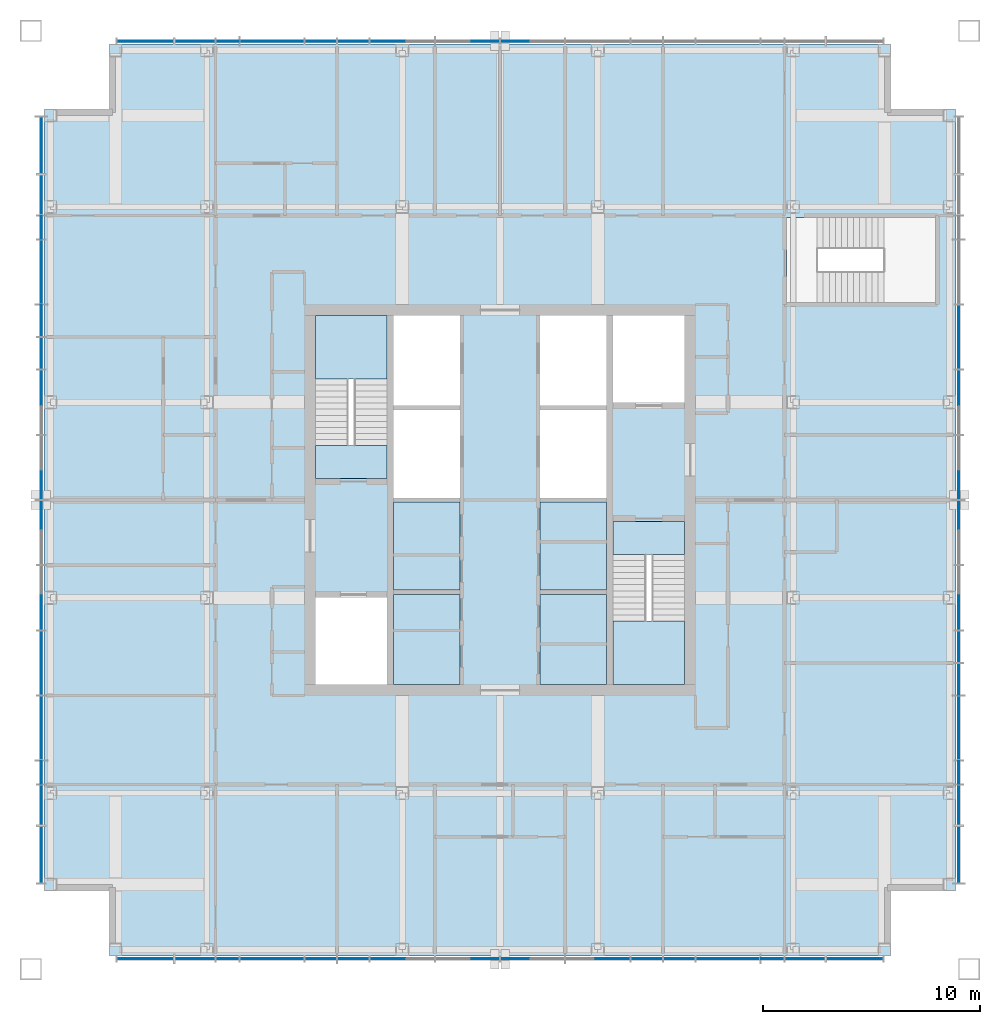
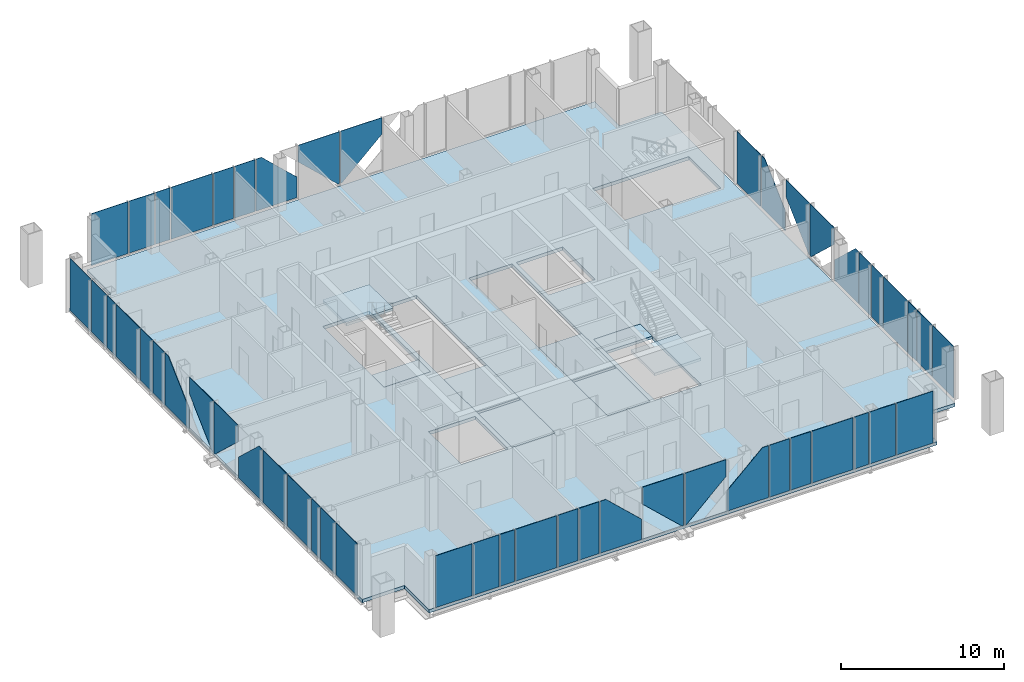
# One storey, part 6 of 12: 51 plates, 9 slabs, 6 elements without a shape of their own.
"""IFC4 building model written with IfcOpenShell, lengths in metres."""

from ifc_helpers import new_model, si_unit, direction, frame, origin, origin_2d, place, context, subcontext, project, spatial, polyline, rectangle, outline, extrude, material, layer, layer_set, type_object, element, aggregate, save


model = new_model("IFC4")

# Units and contexts
model_context = context("Model", 3, precision=1e-05, world=origin(), true_north=direction((0.0, 1.0)))
body_context = subcontext(model_context, "Body", "Model", "MODEL_VIEW")
ifc_project = project(units=[si_unit("LENGTHUNIT", "METRE"), si_unit("AREAUNIT", "SQUARE_METRE"), si_unit("VOLUMEUNIT", "CUBIC_METRE"), si_unit("PLANEANGLEUNIT", "RADIAN"), si_unit("MASSUNIT", "GRAM", prefix="KILO")], contexts=[model_context])

# Site, building, storey
site_placement = place(None, origin())
site = spatial("IfcSite", under=ifc_project, at=site_placement, CompositionType="ELEMENT")
building_placement = place(site_placement, origin())
building = spatial("IfcBuilding", under=site, at=building_placement, Name="Malebo Sky Hospital", CompositionType="ELEMENT")
storey_placement = place(building_placement, frame((0.0, 0.0, 270.0)))
storey = spatial("IfcBuildingStorey", under=building, at=storey_placement, Name="L65", CompositionType="ELEMENT", Elevation=270.0)

# Slabs
ifc_material_1 = material(Name="Concrete C40/50", Category="concrete")
ifc_layer_1 = layer(ifc_material_1, 0.25)
ifc_layer_set_1 = layer_set([ifc_layer_1], Name="COMPOSITE FLOOR SLAB 250")
slab_type_1 = type_object("IfcSlabType", Name="COMPOSITE FLOOR SLAB 250", PredefinedType="FLOOR", material=ifc_layer_set_1)
slab_1_placement = place(storey_placement, frame((0.0, 0.0, -0.25)))
element("IfcSlab", 1, at=slab_1_placement, inside=storey, type_object=slab_type_1, Name="Floor slab L65", PredefinedType="FLOOR", context=body_context, shape_type="SweptSolid", body=[
    extrude(outline(polyline([(42.0, 83.0), (42.0, 80.0), (39.0, 80.0), (39.0, 44.0), (42.0, 44.0), (42.0, 41.0), (78.0, 41.0), (78.0, 44.0), (81.0, 44.0), (81.0, 80.0), (78.0, 80.0), (78.0, 83.0), (42.0, 83.0)]), holes=[polyline([(55.10009765625, 70.5), (58.14990234375, 70.5), (58.14990234375, 53.5), (55.10009765625, 53.5), (55.10009765625, 70.5)]), polyline([(64.89990234375, 70.5), (64.89990234375, 53.5), (61.85009765625, 53.5), (61.85009765625, 70.5), (64.89990234375, 70.5)]), polyline([(54.800048828125, 63.0), (51.5, 63.0), (51.5, 70.5), (54.800048828125, 70.5), (54.800048828125, 63.0)]), polyline([(51.5, 53.5), (51.5, 57.5), (54.800048828125, 57.5), (54.800048828125, 53.5), (51.5, 53.5)]), polyline([(65.199951171875, 61.0), (68.5, 61.0), (68.5, 53.5), (65.199951171875, 53.5), (65.199951171875, 61.0)]), polyline([(68.5, 70.5), (68.5, 66.5), (65.199951171875, 66.5), (65.199951171875, 70.5), (68.5, 70.5)]), polyline([(80.050048828125, 71.10009765625), (73.199951171875, 71.10009765625), (73.199951171875, 75.0), (80.050048828125, 75.0), (80.050048828125, 71.10009765625)])]), origin(), (0.0, 0.0, 1.0), 0.25),
])
ifc_layer_2 = layer(ifc_material_1, 0.25)
ifc_layer_set_2 = layer_set([ifc_layer_2], Name="SHAFT INFILL SLAB 250")
slab_type_2 = type_object("IfcSlabType", Name="SHAFT INFILL SLAB 250", PredefinedType="FLOOR", material=ifc_layer_set_2)
slab_2_placement = place(storey_placement, frame((0.0, 0.0, -0.25)))
element("IfcSlab", 2, at=slab_2_placement, inside=storey, type_object=slab_type_2, Name="Shaft infill slab W1 L65", PredefinedType="FLOOR", context=body_context, shape_type="SweptSolid", body=[
    extrude(outline(polyline([(55.10009765625, 53.5), (58.14990234375, 53.5), (58.14990234375, 57.64990234375), (55.10009765625, 57.64990234375), (55.10009765625, 53.5)])), origin(), (0.0, 0.0, 1.0), 0.25),
])
slab_3_placement = place(storey_placement, frame((0.0, 0.0, -0.25)))
element("IfcSlab", 3, at=slab_3_placement, inside=storey, type_object=slab_type_2, Name="Shaft infill slab W2 L65", PredefinedType="FLOOR", context=body_context, shape_type="SweptSolid", body=[
    extrude(outline(polyline([(55.10009765625, 57.85009765625), (58.14990234375, 57.85009765625), (58.14990234375, 61.89990234375), (55.10009765625, 61.89990234375), (55.10009765625, 57.85009765625)])), origin(), (0.0, 0.0, 1.0), 0.25),
])
slab_4_placement = place(storey_placement, frame((0.0, 0.0, -0.25)))
element("IfcSlab", 4, at=slab_4_placement, inside=storey, type_object=slab_type_2, Name="Shaft infill slab E1 L65", PredefinedType="FLOOR", context=body_context, shape_type="SweptSolid", body=[
    extrude(outline(polyline([(61.85009765625, 53.5), (64.89990234375, 53.5), (64.89990234375, 57.64990234375), (61.85009765625, 57.64990234375), (61.85009765625, 53.5)])), origin(), (0.0, 0.0, 1.0), 0.25),
])
slab_5_placement = place(storey_placement, frame((0.0, 0.0, -0.25)))
element("IfcSlab", 5, at=slab_5_placement, inside=storey, type_object=slab_type_2, Name="Shaft infill slab E2 L65", PredefinedType="FLOOR", context=body_context, shape_type="SweptSolid", body=[
    extrude(outline(polyline([(61.85009765625, 57.85009765625), (64.89990234375, 57.85009765625), (64.89990234375, 61.89990234375), (61.85009765625, 61.89990234375), (61.85009765625, 57.85009765625)])), origin(), (0.0, 0.0, 1.0), 0.25),
])

# Stair, slabs
stair_type = type_object("IfcStairType", Name="HALF-TURN STAIR 1500 R167", PredefinedType="HALF_TURN_STAIR", material=ifc_material_1)
stair_1_placement = place(storey_placement, origin())
stair_1 = element("IfcStair", 6, at=stair_1_placement, inside=storey, type_object=stair_type, Name="Stair S1 L65 type ST1", PredefinedType="HALF_TURN_STAIR")
ifc_layer_3 = layer(ifc_material_1, 0.199951171875)
ifc_layer_set_3 = layer_set([ifc_layer_3], Name="STAIR LANDING 200")
slab_type_3 = type_object("IfcSlabType", Name="STAIR LANDING 200", PredefinedType="LANDING", material=ifc_layer_set_3)
slab_6_placement = place(storey_placement, frame((0.0, 0.0, -0.199951171875)))
slab_6 = element("IfcSlab", 7, at=slab_6_placement, type_object=slab_type_3, Name="S1 landing 1", PredefinedType="LANDING", context=body_context, shape_type="SweptSolid", body=[
    extrude(outline(polyline([(51.5, 63.0), (54.800048828125, 63.0), (54.800048828125, 64.5), (51.5, 64.5), (51.5, 63.0)])), origin(), (0.0, 0.0, 1.0), 0.199951171875),
])
slab_7_placement = place(storey_placement, frame((0.0, 0.0, 1.800048828125)))
slab_7 = element("IfcSlab", 8, at=slab_7_placement, type_object=slab_type_3, Name="S1 landing 2", PredefinedType="LANDING", context=body_context, shape_type="SweptSolid", body=[
    extrude(outline(polyline([(51.5, 67.580078125), (54.800048828125, 67.580078125), (54.800048828125, 70.5), (51.5, 70.5), (51.5, 67.580078125)])), origin(), (0.0, 0.0, 1.0), 0.199951171875),
])
aggregate(stair_1, [slab_6, slab_7])

stair_2_placement = place(storey_placement, origin())
stair_2 = element("IfcStair", 9, at=stair_2_placement, inside=storey, type_object=stair_type, Name="Stair S2 L65 type ST1", PredefinedType="HALF_TURN_STAIR")
slab_8_placement = place(storey_placement, frame((0.0, 0.0, -0.199951171875)))
slab_8 = element("IfcSlab", 10, at=slab_8_placement, type_object=slab_type_3, Name="S2 landing 1", PredefinedType="LANDING", context=body_context, shape_type="SweptSolid", body=[
    extrude(outline(polyline([(65.199951171875, 59.5), (68.5, 59.5), (68.5, 61.0), (65.199951171875, 61.0), (65.199951171875, 59.5)])), origin(), (0.0, 0.0, 1.0), 0.199951171875),
])
slab_9_placement = place(storey_placement, frame((0.0, 0.0, 1.800048828125)))
slab_9 = element("IfcSlab", 11, at=slab_9_placement, type_object=slab_type_3, Name="S2 landing 2", PredefinedType="LANDING", context=body_context, shape_type="SweptSolid", body=[
    extrude(outline(polyline([(65.199951171875, 53.5), (68.5, 53.5), (68.5, 56.419921875), (65.199951171875, 56.419921875), (65.199951171875, 53.5)])), origin(), (0.0, 0.0, 1.0), 0.199951171875),
])
aggregate(stair_2, [slab_8, slab_9])

# Curtain wall, plates
ifc_material_2 = material(Name="Anodised aluminium, natural silver", Category="aluminium")
ifc_layer_4 = layer(ifc_material_2, 0.25)
ifc_layer_set_4 = layer_set([ifc_layer_4], Name="WARD CURTAIN WALL NORTH AND SOUTH")
curtain_wall_type_1 = type_object("IfcCurtainWallType", Name="WARD CURTAIN WALL NORTH AND SOUTH", PredefinedType="NOTDEFINED", material=ifc_layer_set_4)
curtain_wall_1_placement = place(storey_placement, origin())
curtain_wall_1 = element("IfcCurtainWall", 12, at=curtain_wall_1_placement, inside=storey, type_object=curtain_wall_type_1, Name="NS curtain wall N", PredefinedType="NOTDEFINED")
ifc_material_3 = material(Name="Clear low-iron double glazing", Category="glass")
ifc_layer_5 = layer(ifc_material_3, 0.031982421875)
ifc_layer_set_5 = layer_set([ifc_layer_5], Name="VISION PANEL CLEAR 32")
plate_type = type_object("IfcPlateType", Name="VISION PANEL CLEAR 32", PredefinedType="CURTAIN_PANEL", material=ifc_layer_set_5)
plate_1_placement = place(storey_placement, frame((43.668701171875, 83.125, 0.10009765625), z_axis=(0.0, 0.0, 1.0), x_axis=(1.0, 0.0, 0.0)))
plate_1 = element("IfcPlate", 13, at=plate_1_placement, type_object=plate_type, Name="Panel 1", PredefinedType="CURTAIN_PANEL", context=body_context, shape_type="SweptSolid", body=[
    extrude(rectangle(XDim=2.58740234375, YDim=0.031982421875, at=origin_2d()), origin(), (0.0, 0.0, 1.0), 3.889892578125),
])
plate_2_placement = place(storey_placement, frame((45.949951171875, 83.125, 0.10009765625), z_axis=(0.0, 0.0, 1.0), x_axis=(1.0, 0.0, 0.0)))
plate_2 = element("IfcPlate", 14, at=plate_2_placement, type_object=plate_type, Name="Panel 2", PredefinedType="CURTAIN_PANEL", context=body_context, shape_type="SweptSolid", body=[
    extrude(rectangle(XDim=1.824951171875, YDim=0.031982421875, at=origin_2d()), origin(), (0.0, 0.0, 1.0), 3.889892578125),
])
plate_3_placement = place(storey_placement, frame((47.449951171875, 83.125, 0.10009765625), z_axis=(0.0, 0.0, 1.0), x_axis=(1.0, 0.0, 0.0)))
plate_3 = element("IfcPlate", 15, at=plate_3_placement, type_object=plate_type, Name="Panel 3", PredefinedType="CURTAIN_PANEL", context=body_context, shape_type="SweptSolid", body=[
    extrude(rectangle(XDim=1.02490234375, YDim=0.031982421875, at=origin_2d()), origin(), (0.0, 0.0, 1.0), 3.889892578125),
])
plate_4_placement = place(storey_placement, frame((49.5, 83.125, 0.10009765625), z_axis=(0.0, 0.0, 1.0), x_axis=(1.0, 0.0, 0.0)))
plate_4 = element("IfcPlate", 16, at=plate_4_placement, type_object=plate_type, Name="Panel 4", PredefinedType="CURTAIN_PANEL", context=body_context, shape_type="SweptSolid", body=[
    extrude(rectangle(XDim=2.925048828125, YDim=0.031982421875, at=origin_2d()), origin(), (0.0, 0.0, 1.0), 3.889892578125),
])
plate_5_placement = place(storey_placement, frame((51.75, 83.125, 0.10009765625), z_axis=(0.0, 0.0, 1.0), x_axis=(1.0, 0.0, 0.0)))
plate_5 = element("IfcPlate", 17, at=plate_5_placement, type_object=plate_type, Name="Panel 5", PredefinedType="CURTAIN_PANEL", context=body_context, shape_type="SweptSolid", body=[
    extrude(rectangle(XDim=1.425048828125, YDim=0.031982421875, at=origin_2d()), origin(), (0.0, 0.0, 1.0), 3.889892578125),
])
plate_6_placement = place(storey_placement, frame((53.25, 83.125, 0.10009765625), z_axis=(0.0, 0.0, 1.0), x_axis=(1.0, 0.0, 0.0)))
plate_6 = element("IfcPlate", 18, at=plate_6_placement, type_object=plate_type, Name="Panel 6", PredefinedType="CURTAIN_PANEL", context=body_context, shape_type="SweptSolid", body=[
    extrude(rectangle(XDim=1.425048828125, YDim=0.031982421875, at=origin_2d()), origin(), (0.0, 0.0, 1.0), 3.889892578125),
])
plate_7_placement = place(storey_placement, frame((55.5, 83.125, 0.10009765625), z_axis=(0.0, 0.0, 1.0), x_axis=(1.0, 0.0, 0.0)))
plate_7 = element("IfcPlate", 19, at=plate_7_placement, type_object=plate_type, Name="Panel 7", PredefinedType="CURTAIN_PANEL", context=body_context, shape_type="SweptSolid", body=[
    extrude(outline(polyline([(-1.46240234375, 0.0), (1.46240234375, 0.0), (1.46240234375, 1.5361328125), (-1.05126953125, 3.889892578125), (-1.46240234375, 3.889892578125), (-1.46240234375, 0.0)])), frame((0.0, 0.01611328125, 0.0), z_axis=(0.0, -1.0, 0.0), x_axis=(1.0, 0.0, 0.0)), (0.0, 0.0, 1.0), 0.031982421875),
])
plate_8_placement = place(storey_placement, frame((58.5, 83.125, 0.10009765625), z_axis=(0.0, 0.0, 1.0), x_axis=(1.0, 0.0, 0.0)))
plate_8 = element("IfcPlate", 20, at=plate_8_placement, type_object=plate_type, Name="Panel 8", PredefinedType="CURTAIN_PANEL", context=body_context, shape_type="SweptSolid", body=[
    extrude(outline(polyline([(1.34814453125, 0.0), (1.46240234375, 0.0), (1.46240234375, 3.889892578125), (-1.46240234375, 3.889892578125), (-1.46240234375, 2.6318359375), (1.34814453125, 0.0)])), frame((0.0, 0.01611328125, 0.0), z_axis=(0.0, -1.0, 0.0), x_axis=(1.0, 0.0, 0.0)), (0.0, 0.0, 1.0), 0.031982421875),
])
plate_9_placement = place(storey_placement, frame((61.5, 83.125, 0.10009765625), z_axis=(0.0, 0.0, 1.0), x_axis=(1.0, 0.0, 0.0)))
plate_9 = element("IfcPlate", 21, at=plate_9_placement, type_object=plate_type, Name="Panel 9", PredefinedType="CURTAIN_PANEL", context=body_context, shape_type="SweptSolid", body=[
    extrude(outline(polyline([(-1.46240234375, 0.0), (-1.34814453125, 0.0), (1.46240234375, 2.6318359375), (1.46240234375, 3.889892578125), (-1.46240234375, 3.889892578125), (-1.46240234375, 0.0)])), frame((0.0, 0.01611328125, 0.0), z_axis=(0.0, -1.0, 0.0), x_axis=(1.0, 0.0, 0.0)), (0.0, 0.0, 1.0), 0.031982421875),
])
aggregate(curtain_wall_1, [plate_1, plate_2, plate_3, plate_4, plate_5, plate_6, plate_7, plate_8, plate_9])

ifc_layer_6 = layer(ifc_material_2, 0.25)
ifc_layer_set_6 = layer_set([ifc_layer_6], Name="WARD CURTAIN WALL EAST AND WEST")
curtain_wall_type_2 = type_object("IfcCurtainWallType", Name="WARD CURTAIN WALL EAST AND WEST", PredefinedType="NOTDEFINED", material=ifc_layer_set_6)
curtain_wall_2_placement = place(storey_placement, origin())
curtain_wall_2 = element("IfcCurtainWall", 22, at=curtain_wall_2_placement, inside=storey, type_object=curtain_wall_type_2, Name="EW curtain wall W", PredefinedType="NOTDEFINED")
plate_10_placement = place(storey_placement, frame((38.875, 45.668701171875, 0.10009765625), z_axis=(0.0, 0.0, 1.0), x_axis=(0.0, 1.0, 0.0)))
plate_10 = element("IfcPlate", 23, at=plate_10_placement, type_object=plate_type, Name="Panel 1", PredefinedType="CURTAIN_PANEL", context=body_context, shape_type="SweptSolid", body=[
    extrude(rectangle(XDim=2.58740234375, YDim=0.031982421875, at=origin_2d()), origin(), (0.0, 0.0, 1.0), 3.889892578125),
])
plate_11_placement = place(storey_placement, frame((38.875, 47.949951171875, 0.10009765625), z_axis=(0.0, 0.0, 1.0), x_axis=(0.0, 1.0, 0.0)))
plate_11 = element("IfcPlate", 24, at=plate_11_placement, type_object=plate_type, Name="Panel 2", PredefinedType="CURTAIN_PANEL", context=body_context, shape_type="SweptSolid", body=[
    extrude(rectangle(XDim=1.824951171875, YDim=0.031982421875, at=origin_2d()), origin(), (0.0, 0.0, 1.0), 3.889892578125),
])
plate_12_placement = place(storey_placement, frame((38.875, 49.449951171875, 0.10009765625), z_axis=(0.0, 0.0, 1.0), x_axis=(0.0, 1.0, 0.0)))
plate_12 = element("IfcPlate", 25, at=plate_12_placement, type_object=plate_type, Name="Panel 3", PredefinedType="CURTAIN_PANEL", context=body_context, shape_type="SweptSolid", body=[
    extrude(rectangle(XDim=1.02490234375, YDim=0.031982421875, at=origin_2d()), origin(), (0.0, 0.0, 1.0), 3.889892578125),
])
plate_13_placement = place(storey_placement, frame((38.875, 51.5, 0.10009765625), z_axis=(0.0, 0.0, 1.0), x_axis=(0.0, 1.0, 0.0)))
plate_13 = element("IfcPlate", 26, at=plate_13_placement, type_object=plate_type, Name="Panel 4", PredefinedType="CURTAIN_PANEL", context=body_context, shape_type="SweptSolid", body=[
    extrude(rectangle(XDim=2.925048828125, YDim=0.031982421875, at=origin_2d()), origin(), (0.0, 0.0, 1.0), 3.889892578125),
])
plate_14_placement = place(storey_placement, frame((38.875, 54.5, 0.10009765625), z_axis=(0.0, 0.0, 1.0), x_axis=(0.0, 1.0, 0.0)))
plate_14 = element("IfcPlate", 27, at=plate_14_placement, type_object=plate_type, Name="Panel 5", PredefinedType="CURTAIN_PANEL", context=body_context, shape_type="SweptSolid", body=[
    extrude(rectangle(XDim=2.925048828125, YDim=0.031982421875, at=origin_2d()), origin(), (0.0, 0.0, 1.0), 3.889892578125),
])
plate_15_placement = place(storey_placement, frame((38.875, 57.5, 0.10009765625), z_axis=(0.0, 0.0, 1.0), x_axis=(0.0, 1.0, 0.0)))
plate_15 = element("IfcPlate", 28, at=plate_15_placement, type_object=plate_type, Name="Panel 6", PredefinedType="CURTAIN_PANEL", context=body_context, shape_type="SweptSolid", body=[
    extrude(outline(polyline([(-1.46240234375, 0.0), (1.46240234375, 0.0), (1.46240234375, 1.5361328125), (-1.05126953125, 3.889892578125), (-1.46240234375, 3.889892578125), (-1.46240234375, 0.0)])), frame((0.0, 0.01611328125, 0.0), z_axis=(0.0, -1.0, 0.0), x_axis=(1.0, 0.0, 0.0)), (0.0, 0.0, 1.0), 0.031982421875),
])
plate_16_placement = place(storey_placement, frame((38.875, 60.5, 0.10009765625), z_axis=(0.0, 0.0, 1.0), x_axis=(0.0, 1.0, 0.0)))
plate_16 = element("IfcPlate", 29, at=plate_16_placement, type_object=plate_type, Name="Panel 7", PredefinedType="CURTAIN_PANEL", context=body_context, shape_type="SweptSolid", body=[
    extrude(outline(polyline([(1.34814453125, 0.0), (1.46240234375, 0.0), (1.46240234375, 3.889892578125), (-1.46240234375, 3.889892578125), (-1.46240234375, 2.6318359375), (1.34814453125, 0.0)])), frame((0.0, 0.01611328125, 0.0), z_axis=(0.0, -1.0, 0.0), x_axis=(1.0, 0.0, 0.0)), (0.0, 0.0, 1.0), 0.031982421875),
])
plate_17_placement = place(storey_placement, frame((38.875, 63.5, 0.10009765625), z_axis=(0.0, 0.0, 1.0), x_axis=(0.0, 1.0, 0.0)))
plate_17 = element("IfcPlate", 30, at=plate_17_placement, type_object=plate_type, Name="Panel 8", PredefinedType="CURTAIN_PANEL", context=body_context, shape_type="SweptSolid", body=[
    extrude(outline(polyline([(-1.46240234375, 0.0), (-1.34814453125, 0.0), (1.46240234375, 2.6318359375), (1.46240234375, 3.889892578125), (-1.46240234375, 3.889892578125), (-1.46240234375, 0.0)])), frame((0.0, 0.01611328125, 0.0), z_axis=(0.0, -1.0, 0.0), x_axis=(1.0, 0.0, 0.0)), (0.0, 0.0, 1.0), 0.031982421875),
])
plate_18_placement = place(storey_placement, frame((38.875, 66.5, 0.10009765625), z_axis=(0.0, 0.0, 1.0), x_axis=(0.0, 1.0, 0.0)))
plate_18 = element("IfcPlate", 31, at=plate_18_placement, type_object=plate_type, Name="Panel 9", PredefinedType="CURTAIN_PANEL", context=body_context, shape_type="SweptSolid", body=[
    extrude(outline(polyline([(-1.46240234375, 0.0), (1.46240234375, 0.0), (1.46240234375, 3.889892578125), (1.05126953125, 3.889892578125), (-1.46240234375, 1.5361328125), (-1.46240234375, 0.0)])), frame((0.0, 0.01611328125, 0.0), z_axis=(0.0, -1.0, 0.0), x_axis=(1.0, 0.0, 0.0)), (0.0, 0.0, 1.0), 0.031982421875),
])
plate_19_placement = place(storey_placement, frame((38.875, 68.75, 0.10009765625), z_axis=(0.0, 0.0, 1.0), x_axis=(0.0, 1.0, 0.0)))
plate_19 = element("IfcPlate", 32, at=plate_19_placement, type_object=plate_type, Name="Panel 10", PredefinedType="CURTAIN_PANEL", context=body_context, shape_type="SweptSolid", body=[
    extrude(rectangle(XDim=1.425048828125, YDim=0.031982421875, at=origin_2d()), origin(), (0.0, 0.0, 1.0), 3.889892578125),
])
plate_20_placement = place(storey_placement, frame((38.875, 70.25, 0.10009765625), z_axis=(0.0, 0.0, 1.0), x_axis=(0.0, 1.0, 0.0)))
plate_20 = element("IfcPlate", 33, at=plate_20_placement, type_object=plate_type, Name="Panel 11", PredefinedType="CURTAIN_PANEL", context=body_context, shape_type="SweptSolid", body=[
    extrude(rectangle(XDim=1.425048828125, YDim=0.031982421875, at=origin_2d()), origin(), (0.0, 0.0, 1.0), 3.889892578125),
])
plate_21_placement = place(storey_placement, frame((38.875, 72.5, 0.10009765625), z_axis=(0.0, 0.0, 1.0), x_axis=(0.0, 1.0, 0.0)))
plate_21 = element("IfcPlate", 34, at=plate_21_placement, type_object=plate_type, Name="Panel 12", PredefinedType="CURTAIN_PANEL", context=body_context, shape_type="SweptSolid", body=[
    extrude(rectangle(XDim=2.925048828125, YDim=0.031982421875, at=origin_2d()), origin(), (0.0, 0.0, 1.0), 3.889892578125),
])
plate_22_placement = place(storey_placement, frame((38.875, 74.550048828125, 0.10009765625), z_axis=(0.0, 0.0, 1.0), x_axis=(0.0, 1.0, 0.0)))
plate_22 = element("IfcPlate", 35, at=plate_22_placement, type_object=plate_type, Name="Panel 13", PredefinedType="CURTAIN_PANEL", context=body_context, shape_type="SweptSolid", body=[
    extrude(rectangle(XDim=1.02490234375, YDim=0.031982421875, at=origin_2d()), origin(), (0.0, 0.0, 1.0), 3.889892578125),
])
plate_23_placement = place(storey_placement, frame((38.875, 76.050048828125, 0.10009765625), z_axis=(0.0, 0.0, 1.0), x_axis=(0.0, 1.0, 0.0)))
plate_23 = element("IfcPlate", 36, at=plate_23_placement, type_object=plate_type, Name="Panel 14", PredefinedType="CURTAIN_PANEL", context=body_context, shape_type="SweptSolid", body=[
    extrude(rectangle(XDim=1.824951171875, YDim=0.031982421875, at=origin_2d()), origin(), (0.0, 0.0, 1.0), 3.889892578125),
])
plate_24_placement = place(storey_placement, frame((38.875, 78.331298828125, 0.10009765625), z_axis=(0.0, 0.0, 1.0), x_axis=(0.0, 1.0, 0.0)))
plate_24 = element("IfcPlate", 37, at=plate_24_placement, type_object=plate_type, Name="Panel 15", PredefinedType="CURTAIN_PANEL", context=body_context, shape_type="SweptSolid", body=[
    extrude(rectangle(XDim=2.58740234375, YDim=0.031982421875, at=origin_2d()), origin(), (0.0, 0.0, 1.0), 3.889892578125),
])
aggregate(curtain_wall_2, [plate_10, plate_11, plate_12, plate_13, plate_14, plate_15, plate_16, plate_17, plate_18, plate_19, plate_20, plate_21, plate_22, plate_23, plate_24])

curtain_wall_3_placement = place(storey_placement, origin())
curtain_wall_3 = element("IfcCurtainWall", 38, at=curtain_wall_3_placement, inside=storey, type_object=curtain_wall_type_1, Name="NS curtain wall S", PredefinedType="NOTDEFINED")
plate_25_placement = place(storey_placement, frame((76.331298828125, 40.875, 0.10009765625), z_axis=(0.0, 0.0, 1.0), x_axis=(-1.0, 0.0, 0.0)))
plate_25 = element("IfcPlate", 39, at=plate_25_placement, type_object=plate_type, Name="Panel 1", PredefinedType="CURTAIN_PANEL", context=body_context, shape_type="SweptSolid", body=[
    extrude(rectangle(XDim=2.58740234375, YDim=0.031982421875, at=origin_2d()), origin(), (0.0, 0.0, 1.0), 3.889892578125),
])
plate_26_placement = place(storey_placement, frame((74.050048828125, 40.875, 0.10009765625), z_axis=(0.0, 0.0, 1.0), x_axis=(-1.0, 0.0, 0.0)))
plate_26 = element("IfcPlate", 40, at=plate_26_placement, type_object=plate_type, Name="Panel 2", PredefinedType="CURTAIN_PANEL", context=body_context, shape_type="SweptSolid", body=[
    extrude(rectangle(XDim=1.824951171875, YDim=0.031982421875, at=origin_2d()), origin(), (0.0, 0.0, 1.0), 3.889892578125),
])
plate_27_placement = place(storey_placement, frame((72.550048828125, 40.875, 0.10009765625), z_axis=(0.0, 0.0, 1.0), x_axis=(-1.0, 0.0, 0.0)))
plate_27 = element("IfcPlate", 41, at=plate_27_placement, type_object=plate_type, Name="Panel 3", PredefinedType="CURTAIN_PANEL", context=body_context, shape_type="SweptSolid", body=[
    extrude(rectangle(XDim=1.02490234375, YDim=0.031982421875, at=origin_2d()), origin(), (0.0, 0.0, 1.0), 3.889892578125),
])
plate_28_placement = place(storey_placement, frame((70.5, 40.875, 0.10009765625), z_axis=(0.0, 0.0, 1.0), x_axis=(-1.0, 0.0, 0.0)))
plate_28 = element("IfcPlate", 42, at=plate_28_placement, type_object=plate_type, Name="Panel 4", PredefinedType="CURTAIN_PANEL", context=body_context, shape_type="SweptSolid", body=[
    extrude(rectangle(XDim=2.925048828125, YDim=0.031982421875, at=origin_2d()), origin(), (0.0, 0.0, 1.0), 3.889892578125),
])
plate_29_placement = place(storey_placement, frame((68.25, 40.875, 0.10009765625), z_axis=(0.0, 0.0, 1.0), x_axis=(-1.0, 0.0, 0.0)))
plate_29 = element("IfcPlate", 43, at=plate_29_placement, type_object=plate_type, Name="Panel 5", PredefinedType="CURTAIN_PANEL", context=body_context, shape_type="SweptSolid", body=[
    extrude(rectangle(XDim=1.425048828125, YDim=0.031982421875, at=origin_2d()), origin(), (0.0, 0.0, 1.0), 3.889892578125),
])
plate_30_placement = place(storey_placement, frame((66.75, 40.875, 0.10009765625), z_axis=(0.0, 0.0, 1.0), x_axis=(-1.0, 0.0, 0.0)))
plate_30 = element("IfcPlate", 44, at=plate_30_placement, type_object=plate_type, Name="Panel 6", PredefinedType="CURTAIN_PANEL", context=body_context, shape_type="SweptSolid", body=[
    extrude(rectangle(XDim=1.425048828125, YDim=0.031982421875, at=origin_2d()), origin(), (0.0, 0.0, 1.0), 3.889892578125),
])
plate_31_placement = place(storey_placement, frame((64.5, 40.875, 0.10009765625), z_axis=(0.0, 0.0, 1.0), x_axis=(-1.0, 0.0, 0.0)))
plate_31 = element("IfcPlate", 45, at=plate_31_placement, type_object=plate_type, Name="Panel 7", PredefinedType="CURTAIN_PANEL", context=body_context, shape_type="SweptSolid", body=[
    extrude(outline(polyline([(-1.46240234375, 0.0), (1.46240234375, 0.0), (1.46240234375, 1.5361328125), (-1.05126953125, 3.889892578125), (-1.46240234375, 3.889892578125), (-1.46240234375, 0.0)])), frame((0.0, 0.01611328125, 0.0), z_axis=(0.0, -1.0, 0.0), x_axis=(1.0, 0.0, 0.0)), (0.0, 0.0, 1.0), 0.031982421875),
])
plate_32_placement = place(storey_placement, frame((61.5, 40.875, 0.10009765625), z_axis=(0.0, 0.0, 1.0), x_axis=(-1.0, 0.0, 0.0)))
plate_32 = element("IfcPlate", 46, at=plate_32_placement, type_object=plate_type, Name="Panel 8", PredefinedType="CURTAIN_PANEL", context=body_context, shape_type="SweptSolid", body=[
    extrude(outline(polyline([(1.34814453125, 0.0), (1.46240234375, 0.0), (1.46240234375, 3.889892578125), (-1.46240234375, 3.889892578125), (-1.46240234375, 2.6318359375), (1.34814453125, 0.0)])), frame((0.0, 0.01611328125, 0.0), z_axis=(0.0, -1.0, 0.0), x_axis=(1.0, 0.0, 0.0)), (0.0, 0.0, 1.0), 0.031982421875),
])
plate_33_placement = place(storey_placement, frame((58.5, 40.875, 0.10009765625), z_axis=(0.0, 0.0, 1.0), x_axis=(-1.0, 0.0, 0.0)))
plate_33 = element("IfcPlate", 47, at=plate_33_placement, type_object=plate_type, Name="Panel 9", PredefinedType="CURTAIN_PANEL", context=body_context, shape_type="SweptSolid", body=[
    extrude(outline(polyline([(-1.46240234375, 0.0), (-1.34814453125, 0.0), (1.46240234375, 2.6318359375), (1.46240234375, 3.889892578125), (-1.46240234375, 3.889892578125), (-1.46240234375, 0.0)])), frame((0.0, 0.01611328125, 0.0), z_axis=(0.0, -1.0, 0.0), x_axis=(1.0, 0.0, 0.0)), (0.0, 0.0, 1.0), 0.031982421875),
])
plate_34_placement = place(storey_placement, frame((55.5, 40.875, 0.10009765625), z_axis=(0.0, 0.0, 1.0), x_axis=(-1.0, 0.0, 0.0)))
plate_34 = element("IfcPlate", 48, at=plate_34_placement, type_object=plate_type, Name="Panel 10", PredefinedType="CURTAIN_PANEL", context=body_context, shape_type="SweptSolid", body=[
    extrude(outline(polyline([(-1.46240234375, 0.0), (1.46240234375, 0.0), (1.46240234375, 3.889892578125), (1.05126953125, 3.889892578125), (-1.46240234375, 1.5361328125), (-1.46240234375, 0.0)])), frame((0.0, 0.01611328125, 0.0), z_axis=(0.0, -1.0, 0.0), x_axis=(1.0, 0.0, 0.0)), (0.0, 0.0, 1.0), 0.031982421875),
])
plate_35_placement = place(storey_placement, frame((53.25, 40.875, 0.10009765625), z_axis=(0.0, 0.0, 1.0), x_axis=(-1.0, 0.0, 0.0)))
plate_35 = element("IfcPlate", 49, at=plate_35_placement, type_object=plate_type, Name="Panel 11", PredefinedType="CURTAIN_PANEL", context=body_context, shape_type="SweptSolid", body=[
    extrude(rectangle(XDim=1.425048828125, YDim=0.031982421875, at=origin_2d()), origin(), (0.0, 0.0, 1.0), 3.889892578125),
])
plate_36_placement = place(storey_placement, frame((51.75, 40.875, 0.10009765625), z_axis=(0.0, 0.0, 1.0), x_axis=(-1.0, 0.0, 0.0)))
plate_36 = element("IfcPlate", 50, at=plate_36_placement, type_object=plate_type, Name="Panel 12", PredefinedType="CURTAIN_PANEL", context=body_context, shape_type="SweptSolid", body=[
    extrude(rectangle(XDim=1.425048828125, YDim=0.031982421875, at=origin_2d()), origin(), (0.0, 0.0, 1.0), 3.889892578125),
])
plate_37_placement = place(storey_placement, frame((49.5, 40.875, 0.10009765625), z_axis=(0.0, 0.0, 1.0), x_axis=(-1.0, 0.0, 0.0)))
plate_37 = element("IfcPlate", 51, at=plate_37_placement, type_object=plate_type, Name="Panel 13", PredefinedType="CURTAIN_PANEL", context=body_context, shape_type="SweptSolid", body=[
    extrude(rectangle(XDim=2.925048828125, YDim=0.031982421875, at=origin_2d()), origin(), (0.0, 0.0, 1.0), 3.889892578125),
])
plate_38_placement = place(storey_placement, frame((47.449951171875, 40.875, 0.10009765625), z_axis=(0.0, 0.0, 1.0), x_axis=(-1.0, 0.0, 0.0)))
plate_38 = element("IfcPlate", 52, at=plate_38_placement, type_object=plate_type, Name="Panel 14", PredefinedType="CURTAIN_PANEL", context=body_context, shape_type="SweptSolid", body=[
    extrude(rectangle(XDim=1.02490234375, YDim=0.031982421875, at=origin_2d()), origin(), (0.0, 0.0, 1.0), 3.889892578125),
])
plate_39_placement = place(storey_placement, frame((45.949951171875, 40.875, 0.10009765625), z_axis=(0.0, 0.0, 1.0), x_axis=(-1.0, 0.0, 0.0)))
plate_39 = element("IfcPlate", 53, at=plate_39_placement, type_object=plate_type, Name="Panel 15", PredefinedType="CURTAIN_PANEL", context=body_context, shape_type="SweptSolid", body=[
    extrude(rectangle(XDim=1.824951171875, YDim=0.031982421875, at=origin_2d()), origin(), (0.0, 0.0, 1.0), 3.889892578125),
])
plate_40_placement = place(storey_placement, frame((43.668701171875, 40.875, 0.10009765625), z_axis=(0.0, 0.0, 1.0), x_axis=(-1.0, 0.0, 0.0)))
plate_40 = element("IfcPlate", 54, at=plate_40_placement, type_object=plate_type, Name="Panel 16", PredefinedType="CURTAIN_PANEL", context=body_context, shape_type="SweptSolid", body=[
    extrude(rectangle(XDim=2.58740234375, YDim=0.031982421875, at=origin_2d()), origin(), (0.0, 0.0, 1.0), 3.889892578125),
])
aggregate(curtain_wall_3, [plate_25, plate_26, plate_27, plate_28, plate_29, plate_30, plate_31, plate_32, plate_33, plate_34, plate_35, plate_36, plate_37, plate_38, plate_39, plate_40])

curtain_wall_4_placement = place(storey_placement, origin())
curtain_wall_4 = element("IfcCurtainWall", 55, at=curtain_wall_4_placement, inside=storey, type_object=curtain_wall_type_2, Name="EW curtain wall E", PredefinedType="NOTDEFINED")
plate_41_placement = place(storey_placement, frame((81.125, 69.5, 0.10009765625), z_axis=(0.0, 0.0, 1.0), x_axis=(0.0, -1.0, 0.0)))
plate_41 = element("IfcPlate", 56, at=plate_41_placement, type_object=plate_type, Name="Panel 5", PredefinedType="CURTAIN_PANEL", context=body_context, shape_type="SweptSolid", body=[
    extrude(rectangle(XDim=2.925048828125, YDim=0.031982421875, at=origin_2d()), origin(), (0.0, 0.0, 1.0), 3.889892578125),
])
plate_42_placement = place(storey_placement, frame((81.125, 66.5, 0.10009765625), z_axis=(0.0, 0.0, 1.0), x_axis=(0.0, -1.0, 0.0)))
plate_42 = element("IfcPlate", 57, at=plate_42_placement, type_object=plate_type, Name="Panel 6", PredefinedType="CURTAIN_PANEL", context=body_context, shape_type="SweptSolid", body=[
    extrude(outline(polyline([(-1.46240234375, 0.0), (1.46240234375, 0.0), (1.46240234375, 1.5361328125), (-1.05126953125, 3.889892578125), (-1.46240234375, 3.889892578125), (-1.46240234375, 0.0)])), frame((0.0, 0.01611328125, 0.0), z_axis=(0.0, -1.0, 0.0), x_axis=(1.0, 0.0, 0.0)), (0.0, 0.0, 1.0), 0.031982421875),
])
plate_43_placement = place(storey_placement, frame((81.125, 63.5, 0.10009765625), z_axis=(0.0, 0.0, 1.0), x_axis=(0.0, -1.0, 0.0)))
plate_43 = element("IfcPlate", 58, at=plate_43_placement, type_object=plate_type, Name="Panel 7", PredefinedType="CURTAIN_PANEL", context=body_context, shape_type="SweptSolid", body=[
    extrude(outline(polyline([(1.34814453125, 0.0), (1.46240234375, 0.0), (1.46240234375, 3.889892578125), (-1.46240234375, 3.889892578125), (-1.46240234375, 2.6318359375), (1.34814453125, 0.0)])), frame((0.0, 0.01611328125, 0.0), z_axis=(0.0, -1.0, 0.0), x_axis=(1.0, 0.0, 0.0)), (0.0, 0.0, 1.0), 0.031982421875),
])
plate_44_placement = place(storey_placement, frame((81.125, 60.5, 0.10009765625), z_axis=(0.0, 0.0, 1.0), x_axis=(0.0, -1.0, 0.0)))
plate_44 = element("IfcPlate", 59, at=plate_44_placement, type_object=plate_type, Name="Panel 8", PredefinedType="CURTAIN_PANEL", context=body_context, shape_type="SweptSolid", body=[
    extrude(outline(polyline([(-1.46240234375, 0.0), (-1.34814453125, 0.0), (1.46240234375, 2.6318359375), (1.46240234375, 3.889892578125), (-1.46240234375, 3.889892578125), (-1.46240234375, 0.0)])), frame((0.0, 0.01611328125, 0.0), z_axis=(0.0, -1.0, 0.0), x_axis=(1.0, 0.0, 0.0)), (0.0, 0.0, 1.0), 0.031982421875),
])
plate_45_placement = place(storey_placement, frame((81.125, 57.5, 0.10009765625), z_axis=(0.0, 0.0, 1.0), x_axis=(0.0, -1.0, 0.0)))
plate_45 = element("IfcPlate", 60, at=plate_45_placement, type_object=plate_type, Name="Panel 9", PredefinedType="CURTAIN_PANEL", context=body_context, shape_type="SweptSolid", body=[
    extrude(outline(polyline([(-1.46240234375, 0.0), (1.46240234375, 0.0), (1.46240234375, 3.889892578125), (1.05126953125, 3.889892578125), (-1.46240234375, 1.5361328125), (-1.46240234375, 0.0)])), frame((0.0, 0.01611328125, 0.0), z_axis=(0.0, -1.0, 0.0), x_axis=(1.0, 0.0, 0.0)), (0.0, 0.0, 1.0), 0.031982421875),
])
plate_46_placement = place(storey_placement, frame((81.125, 55.25, 0.10009765625), z_axis=(0.0, 0.0, 1.0), x_axis=(0.0, -1.0, 0.0)))
plate_46 = element("IfcPlate", 61, at=plate_46_placement, type_object=plate_type, Name="Panel 10", PredefinedType="CURTAIN_PANEL", context=body_context, shape_type="SweptSolid", body=[
    extrude(rectangle(XDim=1.425048828125, YDim=0.031982421875, at=origin_2d()), origin(), (0.0, 0.0, 1.0), 3.889892578125),
])
plate_47_placement = place(storey_placement, frame((81.125, 53.75, 0.10009765625), z_axis=(0.0, 0.0, 1.0), x_axis=(0.0, -1.0, 0.0)))
plate_47 = element("IfcPlate", 62, at=plate_47_placement, type_object=plate_type, Name="Panel 11", PredefinedType="CURTAIN_PANEL", context=body_context, shape_type="SweptSolid", body=[
    extrude(rectangle(XDim=1.425048828125, YDim=0.031982421875, at=origin_2d()), origin(), (0.0, 0.0, 1.0), 3.889892578125),
])
plate_48_placement = place(storey_placement, frame((81.125, 51.5, 0.10009765625), z_axis=(0.0, 0.0, 1.0), x_axis=(0.0, -1.0, 0.0)))
plate_48 = element("IfcPlate", 63, at=plate_48_placement, type_object=plate_type, Name="Panel 12", PredefinedType="CURTAIN_PANEL", context=body_context, shape_type="SweptSolid", body=[
    extrude(rectangle(XDim=2.925048828125, YDim=0.031982421875, at=origin_2d()), origin(), (0.0, 0.0, 1.0), 3.889892578125),
])
plate_49_placement = place(storey_placement, frame((81.125, 49.449951171875, 0.10009765625), z_axis=(0.0, 0.0, 1.0), x_axis=(0.0, -1.0, 0.0)))
plate_49 = element("IfcPlate", 64, at=plate_49_placement, type_object=plate_type, Name="Panel 13", PredefinedType="CURTAIN_PANEL", context=body_context, shape_type="SweptSolid", body=[
    extrude(rectangle(XDim=1.02490234375, YDim=0.031982421875, at=origin_2d()), origin(), (0.0, 0.0, 1.0), 3.889892578125),
])
plate_50_placement = place(storey_placement, frame((81.125, 47.949951171875, 0.10009765625), z_axis=(0.0, 0.0, 1.0), x_axis=(0.0, -1.0, 0.0)))
plate_50 = element("IfcPlate", 65, at=plate_50_placement, type_object=plate_type, Name="Panel 14", PredefinedType="CURTAIN_PANEL", context=body_context, shape_type="SweptSolid", body=[
    extrude(rectangle(XDim=1.824951171875, YDim=0.031982421875, at=origin_2d()), origin(), (0.0, 0.0, 1.0), 3.889892578125),
])
plate_51_placement = place(storey_placement, frame((81.125, 45.668701171875, 0.10009765625), z_axis=(0.0, 0.0, 1.0), x_axis=(0.0, -1.0, 0.0)))
plate_51 = element("IfcPlate", 66, at=plate_51_placement, type_object=plate_type, Name="Panel 15", PredefinedType="CURTAIN_PANEL", context=body_context, shape_type="SweptSolid", body=[
    extrude(rectangle(XDim=2.58740234375, YDim=0.031982421875, at=origin_2d()), origin(), (0.0, 0.0, 1.0), 3.889892578125),
])
aggregate(curtain_wall_4, [plate_41, plate_42, plate_43, plate_44, plate_45, plate_46, plate_47, plate_48, plate_49, plate_50, plate_51])

save(model, "model.ifc")
